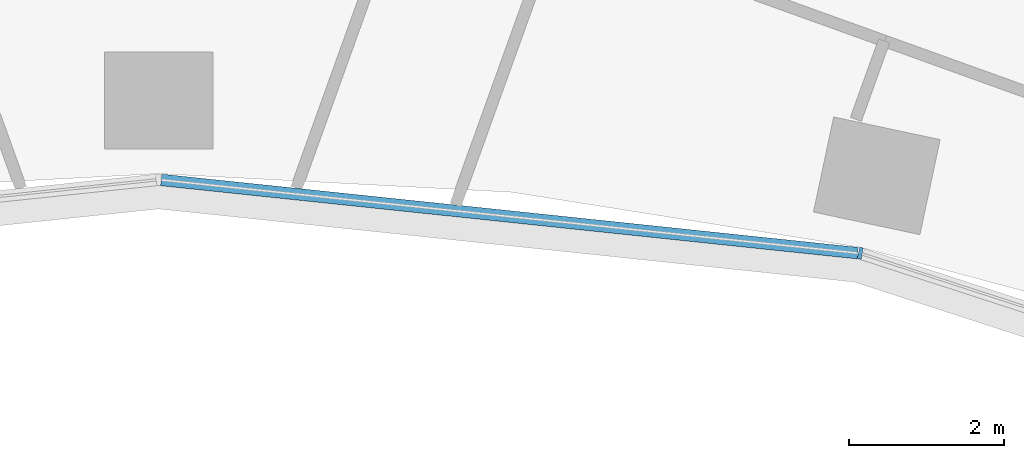
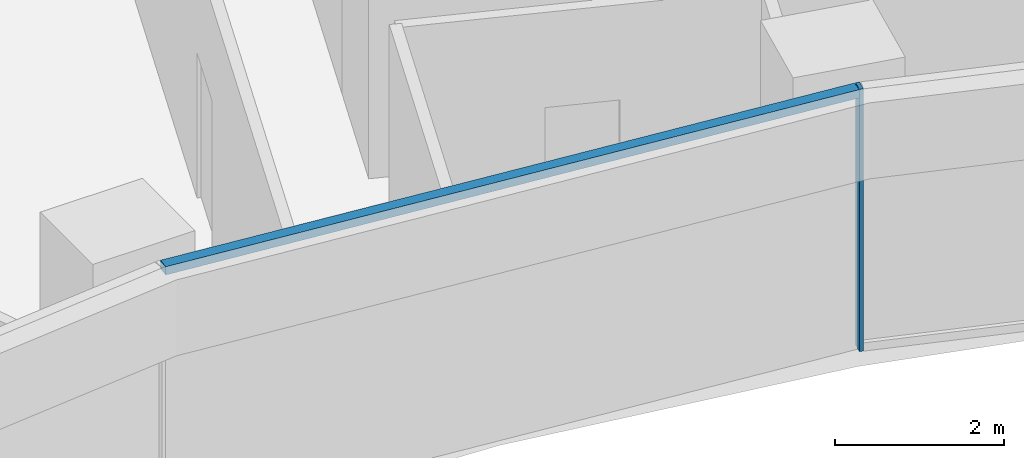
# One storey, part 6 of 24: 2 members, 1 element without a shape of its own.
"""IFC4 building model written with IfcOpenShell, lengths in metres."""

from ifc_helpers import new_model, si_unit, direction, frame, origin, origin_2d, place, context, subcontext, project, spatial, rectangle, extrude, material, layer, layer_set, material_profile, profile_set, type_object, element, aggregate, save


model = new_model("IFC4")

# Units and contexts
model_context = context("Model", 3, precision=1e-05, world=origin(), true_north=direction((0.0, 1.0)))
body_context = subcontext(model_context, "Body", "Model", "MODEL_VIEW")
ifc_project = project(units=[si_unit("LENGTHUNIT", "METRE"), si_unit("AREAUNIT", "SQUARE_METRE"), si_unit("VOLUMEUNIT", "CUBIC_METRE"), si_unit("PLANEANGLEUNIT", "RADIAN"), si_unit("MASSUNIT", "GRAM", prefix="KILO")], contexts=[model_context])

# Site, building, storey
site_placement = place(None, origin())
site = spatial("IfcSite", under=ifc_project, at=site_placement, CompositionType="ELEMENT")
building_placement = place(site_placement, origin())
building = spatial("IfcBuilding", under=site, at=building_placement, Name="Stone Belt Terrace Tower", CompositionType="ELEMENT")
storey_placement = place(building_placement, frame((0.0, 0.0, 64.199951171875)))
storey = spatial("IfcBuildingStorey", under=building, at=storey_placement, Name="L15", CompositionType="ELEMENT", Elevation=64.199951171875)

# Curtain wall, members
ifc_material = material(Name="Aluminium 6063-T6 anodised frame", Category="aluminium")
ifc_layer = layer(ifc_material, 0.14990234375)
ifc_layer_set = layer_set([ifc_layer], Name="CW-B unitised concave-face curtain wall")
curtain_wall_type = type_object("IfcCurtainWallType", Name="CW-B unitised concave-face curtain wall", PredefinedType="NOTDEFINED", material=ifc_layer_set)
curtain_wall_placement = place(storey_placement, origin())
curtain_wall = element("IfcCurtainWall", 1, at=curtain_wall_placement, inside=storey, type_object=curtain_wall_type, Name="CW-B concave face L15", PredefinedType="NOTDEFINED")
ifc_material_profile_1 = material_profile(ifc_material, rectangle(XDim=0.14990234375, YDim=0.050048828125, at=origin_2d()), Name="Aluminium 6063-T6 50x150")
ifc_profile_set_1 = profile_set([ifc_material_profile_1], Name="Aluminium 6063-T6 anodised frame")
member_type_1 = type_object("IfcMemberType", Name="CW-B mullion 50 x 150", PredefinedType="MULLION", material=ifc_profile_set_1)
member_1_placement = place(storey_placement, frame((9.028564453125, 42.4755859375, 0.0), z_axis=(0.0, 0.0, 1.0), x_axis=(0.207911690818, 0.978147600734, 0.0)))
member_1 = element("IfcMember", 2, at=member_1_placement, type_object=member_type_1, Name="CW-B mullion 7", PredefinedType="MULLION", context=body_context, shape_type="SweptSolid", body=[
    extrude(rectangle(XDim=0.14990234375, YDim=0.050048828125, at=origin_2d()), origin(), (0.0, 0.0, 1.0), 3.800048828125),
])
ifc_material_profile_2 = material_profile(ifc_material, rectangle(XDim=0.14990234375, YDim=0.1201171875, at=origin_2d()), Name="Aluminium 6063-T6 150x120")
ifc_profile_set_2 = profile_set([ifc_material_profile_2], Name="Aluminium 6063-T6 anodised frame")
member_type_2 = type_object("IfcMemberType", Name="CW-B transom 120 x 150", PredefinedType="USERDEFINED", material=ifc_profile_set_2)
member_2_placement = place(storey_placement, frame((0.032470703125, 43.421142578125, 3.739990234375), z_axis=(0.994521323407, -0.104533904969, 0.0), x_axis=(0.104533904969, 0.994521323407, 0.0)))
member_2 = element("IfcMember", 3, at=member_2_placement, type_object=member_type_2, Name="CW-B transom 6.1", ObjectType="TRANSOM", PredefinedType="USERDEFINED", context=body_context, shape_type="SweptSolid", body=[
    extrude(rectangle(XDim=0.14990234375, YDim=0.1201171875, at=origin_2d()), origin(), (0.0, 0.0, 1.0), 9.0126953125),
])
aggregate(curtain_wall, [member_1, member_2])

save(model, "model.ifc")
